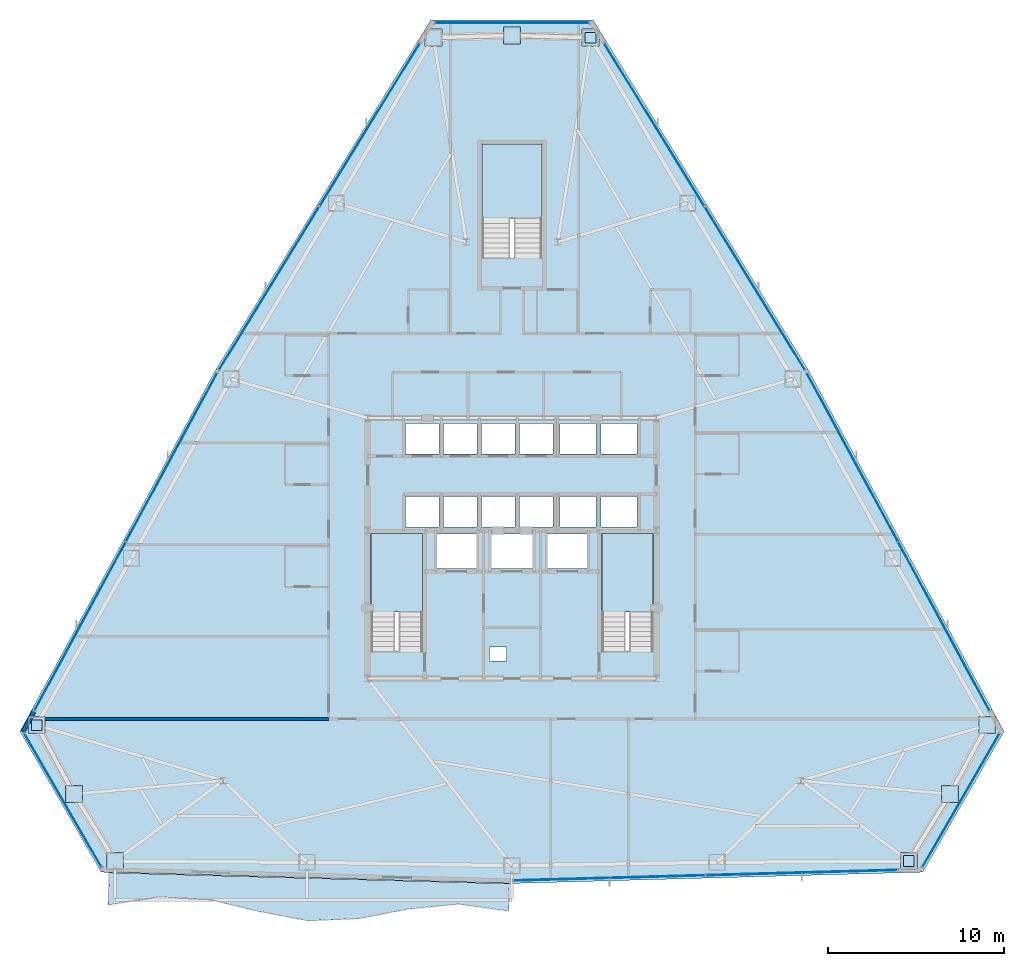
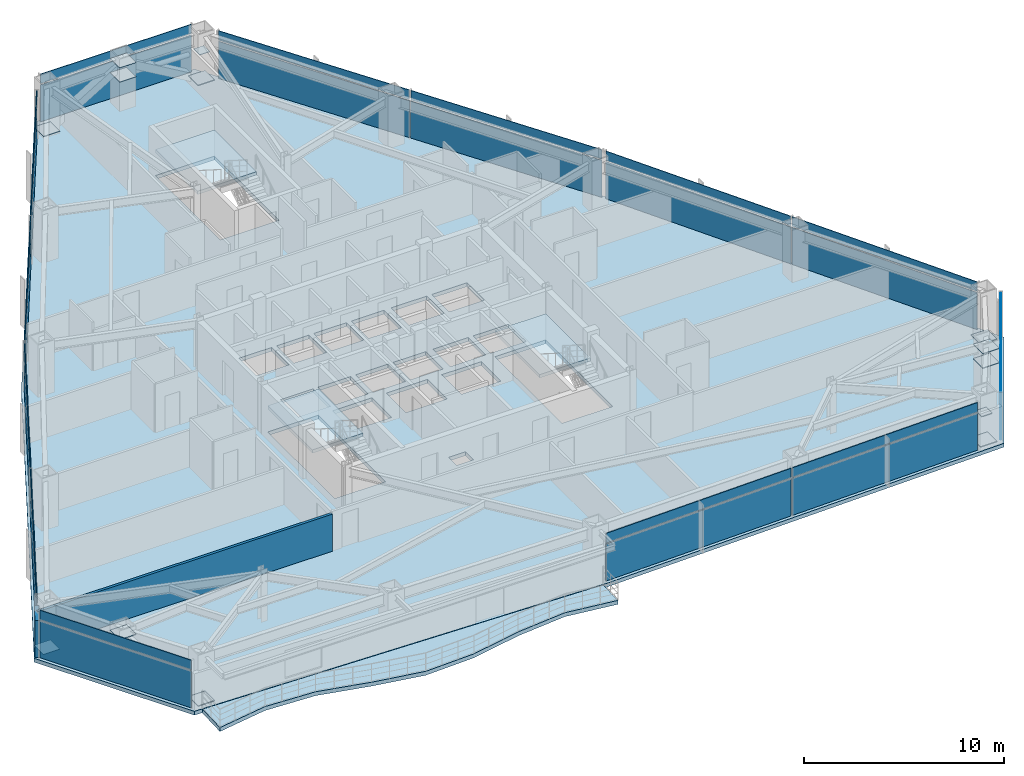
# One storey, part 8 of 14: 41 plates, 5 slabs, 2 walls, 11 elements without a shape of their own.
"""IFC4 building model written with IfcOpenShell, lengths in metres."""

from ifc_helpers import new_model, si_unit, direction, frame, frame_2d, origin, origin_2d, place, context, subcontext, project, spatial, polyline, rectangle, outline, extrude, source, transform, mapped, material, layer, layer_set, type_object, type_shapes, element, aggregate, save


model = new_model("IFC4")

# Units and contexts
model_context = context("Model", 3, precision=1e-05, world=origin(), true_north=direction((0.0, 1.0)))
body_context = subcontext(model_context, "Body", "Model", "MODEL_VIEW")
ifc_project = project(units=[si_unit("LENGTHUNIT", "METRE"), si_unit("AREAUNIT", "SQUARE_METRE"), si_unit("VOLUMEUNIT", "CUBIC_METRE"), si_unit("PLANEANGLEUNIT", "RADIAN"), si_unit("MASSUNIT", "GRAM", prefix="KILO")], contexts=[model_context])

# Site, building, storey
site_placement = place(None, origin())
site = spatial("IfcSite", under=ifc_project, at=site_placement, CompositionType="ELEMENT")
building_placement = place(site_placement, origin())
building = spatial("IfcBuilding", under=site, at=building_placement, Name="Varakhsha Concourse Tower", CompositionType="ELEMENT")
storey_placement = place(building_placement, frame((0.0, 0.0, 105.39990234375)))
storey = spatial("IfcBuildingStorey", under=building, at=storey_placement, Name="L30", CompositionType="ELEMENT", Elevation=105.39990234375)

# Slab
ifc_material_1 = material(Name="Concrete fc 45 MPa", Category="concrete")
ifc_layer_1 = layer(ifc_material_1, 0.22998046875, Name="SL-FLR-230")
ifc_layer_set_1 = layer_set([ifc_layer_1], Name="Concrete fc 45 MPa")
slab_type_1 = type_object("IfcSlabType", Name="SL-FLR-230", PredefinedType="FLOOR", material=ifc_layer_set_1)
slab_1_placement = place(storey_placement, frame((0.0, 0.0, -0.22998046875)))
element("IfcSlab", 1, at=slab_1_placement, inside=storey, type_object=slab_type_1, Name="L30 Composite Structural Slab", PredefinedType="FLOOR", context=body_context, shape_type="SweptSolid", body=[
    extrude(outline(polyline([(44.6142578125, 53.807861328125), (35.3857421875, 53.807861328125), (23.161865234375, 33.92138671875), (12.0517578125, 13.39208984375), (16.666015625, 5.39990234375), (40.0, 4.757080078125), (63.333984375, 5.39990234375), (67.9482421875, 13.39208984375), (56.838134765625, 33.92138671875), (44.6142578125, 53.807861328125)]), holes=[polyline([(34.919921875, 17.93994140625), (34.919921875, 24.6298828125), (32.0, 24.6298828125), (32.0, 17.93994140625), (34.919921875, 17.93994140625)]), polyline([(48.02001953125, 17.93994140625), (48.02001953125, 24.6298828125), (45.10009765625, 24.6298828125), (45.10009765625, 17.93994140625), (48.02001953125, 17.93994140625)]), polyline([(41.699951171875, 40.300048828125), (41.699951171875, 46.75), (38.300048828125, 46.75), (38.300048828125, 40.300048828125), (41.699951171875, 40.300048828125)]), polyline([(33.9599609375, 29.159912109375), (35.840087890625, 29.159912109375), (35.840087890625, 30.89990234375), (33.9599609375, 30.89990234375), (33.9599609375, 29.159912109375)]), polyline([(36.1201171875, 29.159912109375), (38.0, 29.159912109375), (38.0, 30.89990234375), (36.1201171875, 30.89990234375), (36.1201171875, 29.159912109375)]), polyline([(38.280029296875, 29.159912109375), (40.159912109375, 29.159912109375), (40.159912109375, 30.89990234375), (38.280029296875, 30.89990234375), (38.280029296875, 29.159912109375)]), polyline([(40.43994140625, 29.159912109375), (42.320068359375, 29.159912109375), (42.320068359375, 30.89990234375), (40.43994140625, 30.89990234375), (40.43994140625, 29.159912109375)]), polyline([(33.9599609375, 25.0), (35.840087890625, 25.0), (35.840087890625, 26.739990234375), (33.9599609375, 26.739990234375), (33.9599609375, 25.0)]), polyline([(36.1201171875, 25.0), (38.0, 25.0), (38.0, 26.739990234375), (36.1201171875, 26.739990234375), (36.1201171875, 25.0)]), polyline([(38.280029296875, 25.0), (40.159912109375, 25.0), (40.159912109375, 26.739990234375), (38.280029296875, 26.739990234375), (38.280029296875, 25.0)]), polyline([(40.43994140625, 25.0), (42.320068359375, 25.0), (42.320068359375, 26.739990234375), (40.43994140625, 26.739990234375), (40.43994140625, 25.0)]), polyline([(42.739990234375, 29.159912109375), (44.780029296875, 29.159912109375), (44.780029296875, 30.89990234375), (42.739990234375, 30.89990234375), (42.739990234375, 29.159912109375)]), polyline([(45.06005859375, 29.159912109375), (47.10009765625, 29.159912109375), (47.10009765625, 30.89990234375), (45.06005859375, 30.89990234375), (45.06005859375, 29.159912109375)]), polyline([(42.739990234375, 25.0), (44.780029296875, 25.0), (44.780029296875, 26.739990234375), (42.739990234375, 26.739990234375), (42.739990234375, 25.0)]), polyline([(45.06005859375, 25.0), (47.10009765625, 25.0), (47.10009765625, 26.739990234375), (45.06005859375, 26.739990234375), (45.06005859375, 25.0)]), polyline([(35.7099609375, 22.639892578125), (37.989990234375, 22.639892578125), (37.989990234375, 24.60009765625), (35.7099609375, 24.60009765625), (35.7099609375, 22.639892578125)]), polyline([(42.010009765625, 22.639892578125), (44.2900390625, 22.639892578125), (44.2900390625, 24.60009765625), (42.010009765625, 24.60009765625), (42.010009765625, 22.639892578125)]), polyline([(38.81005859375, 22.639892578125), (41.18994140625, 22.639892578125), (41.18994140625, 24.60009765625), (38.81005859375, 24.60009765625), (38.81005859375, 22.639892578125)]), polyline([(38.719970703125, 17.39990234375), (39.679931640625, 17.39990234375), (39.679931640625, 18.199951171875), (38.719970703125, 18.199951171875), (38.719970703125, 17.39990234375)])]), origin(), (0.0, 0.0, 1.0), 0.22998046875),
])

# Stair, slab
stair_type_1 = type_object("IfcStairType", Name="ST-DOGLEG-1360", PredefinedType="HALF_TURN_STAIR", material=ifc_material_1)
stair_1_placement = place(storey_placement, origin())
stair_1 = element("IfcStair", 2, at=stair_1_placement, inside=storey, type_object=stair_type_1, Name="L30 Protected Exit Stair ST1", PredefinedType="HALF_TURN_STAIR")
ifc_layer_2 = layer(ifc_material_1, 0.199951171875, Name="SL-LAND-200")
ifc_layer_set_2 = layer_set([ifc_layer_2], Name="Concrete fc 45 MPa")
slab_type_2 = type_object("IfcSlabType", Name="SL-LAND-200", PredefinedType="LANDING", material=ifc_layer_set_2)
slab_2_placement = place(storey_placement, frame((0.0, 0.0, 1.400146484375)))
slab_2 = element("IfcSlab", 3, at=slab_2_placement, type_object=slab_type_2, Name="ST1 landing 1", PredefinedType="LANDING", context=body_context, shape_type="SweptSolid", body=[
    extrude(outline(polyline([(34.919921875, 20.179931640625), (34.919921875, 24.6298828125), (32.0, 24.6298828125), (32.0, 20.179931640625), (34.919921875, 20.179931640625)])), origin(), (0.0, 0.0, 1.0), 0.199951171875),
])
aggregate(stair_1, [slab_2])

stair_2_placement = place(storey_placement, origin())
stair_2 = element("IfcStair", 4, at=stair_2_placement, inside=storey, type_object=stair_type_1, Name="L30 Protected Exit Stair ST2", PredefinedType="HALF_TURN_STAIR")
slab_3_placement = place(storey_placement, frame((0.0, 0.0, 1.400146484375)))
slab_3 = element("IfcSlab", 5, at=slab_3_placement, type_object=slab_type_2, Name="ST2 landing 1", PredefinedType="LANDING", context=body_context, shape_type="SweptSolid", body=[
    extrude(outline(polyline([(48.02001953125, 20.179931640625), (48.02001953125, 24.6298828125), (45.10009765625, 24.6298828125), (45.10009765625, 20.179931640625), (48.02001953125, 20.179931640625)])), origin(), (0.0, 0.0, 1.0), 0.199951171875),
])
aggregate(stair_2, [slab_3])

stair_type_2 = type_object("IfcStairType", Name="ST-DOGLEG-1600", PredefinedType="HALF_TURN_STAIR", material=ifc_material_1)
stair_3_placement = place(storey_placement, origin())
stair_3 = element("IfcStair", 6, at=stair_3_placement, inside=storey, type_object=stair_type_2, Name="L30 Protected Exit Stair ST5", PredefinedType="HALF_TURN_STAIR")
slab_4_placement = place(storey_placement, frame((0.0, 0.0, 1.400146484375)))
slab_4 = element("IfcSlab", 7, at=slab_4_placement, type_object=slab_type_2, Name="ST5 landing 1", PredefinedType="LANDING", context=body_context, shape_type="SweptSolid", body=[
    extrude(outline(polyline([(41.699951171875, 42.5400390625), (41.699951171875, 46.75), (38.300048828125, 46.75), (38.300048828125, 42.5400390625), (41.699951171875, 42.5400390625)])), origin(), (0.0, 0.0, 1.0), 0.199951171875),
])
aggregate(stair_3, [slab_4])

# Slab
ifc_layer_3 = layer(ifc_material_1, 0.239990234375, Name="SL-TERR-240")
ifc_layer_set_3 = layer_set([ifc_layer_3], Name="Concrete fc 45 MPa")
slab_type_3 = type_object("IfcSlabType", Name="SL-TERR-240", PredefinedType="FLOOR", material=ifc_layer_set_3)
slab_5_placement = place(storey_placement, frame((0.0, 0.0, -0.239990234375)))
element("IfcSlab", 8, at=slab_5_placement, inside=storey, type_object=slab_type_3, Name="L30 Hotel Wave Sky-Loggia Balcony", PredefinedType="FLOOR", context=body_context, shape_type="SweptSolid", body=[
    extrude(outline(polyline([(17.115478515625, 5.37255859375), (39.849609375, 4.74609375), (39.806884765625, 3.196044921875), (36.973876953125, 3.589599609375), (34.122314453125, 3.310302734375), (31.26318359375, 2.759765625), (28.416015625, 2.6435546875), (25.5869140625, 3.1796875), (22.761474609375, 3.854736328125), (19.92138671875, 3.998779296875), (17.06494140625, 3.538330078125), (17.115478515625, 5.37255859375)])), origin(), (0.0, 0.0, 1.0), 0.239990234375),
])

# Plates
ifc_material_2 = material(Name="Structural Steel ASTM A572 Grade 50", Category="steel")
ifc_layer_4 = layer(ifc_material_2, 0.030029296875, Name="PL-ENDCAP-950")
ifc_layer_set_4 = layer_set([ifc_layer_4], Name="Structural Steel ASTM A572 Grade 50")
plate_type_1 = type_object("IfcPlateType", Name="PL-ENDCAP-950", PredefinedType="USERDEFINED", material=ifc_layer_set_4)
shared_shape_1 = source(origin(), body_context, "Body", "SweptSolid", [
    extrude(rectangle(XDim=0.949951171875, YDim=0.949951171875, at=origin_2d()), origin(), (0.0, 0.0, 1.0), 0.030029296875),
])
type_shapes(plate_type_1, [shared_shape_1])
for number, where, z_axis, x_axis, name in (
    (9, (44.45849609375, 52.807861328125, 0.10498046875), (0.0, 0.0, 1.0), (1.0, 0.0, 0.0), "Hollow Section End Cap GP-NODE-L30-0283"),
    (10, (40.0, 52.927734375, 2.6552734375), (0.0, 0.0, 1.0), (1.0, 0.0, 0.0), "Hollow Section End Cap GP-NODE-L30-0284"),
    (11, (35.54150390625, 52.807861328125, 0.10498046875), (0.0, 0.0, 1.0), (1.0, 0.0, 0.0), "Hollow Section End Cap GP-NODE-L30-0285"),
    (12, (12.99560546875, 13.757080078125, 0.10498046875), (0.0, 0.0, 1.0), (1.0, 0.0, 0.0), "Hollow Section End Cap GP-NODE-L30-0286"),
    (13, (15.12109375, 9.836181640625, 2.6552734375), (0.0, 0.0, 1.0), (1.0, 0.0, 0.0), "Hollow Section End Cap GP-NODE-L30-0287"),
    (14, (17.4541015625, 6.034912109375, 0.10498046875), (0.0, 0.0, 1.0), (1.0, 0.0, 0.0), "Hollow Section End Cap GP-NODE-L30-0288"),
    (15, (62.5458984375, 6.034912109375, 0.10498046875), (0.0, 0.0, 1.0), (1.0, 0.0, 0.0), "Hollow Section End Cap GP-NODE-L30-0289"),
    (16, (64.87890625, 9.836181640625, 2.6552734375), (0.0, 0.0, 1.0), (1.0, 0.0, 0.0), "Hollow Section End Cap GP-NODE-L30-0290"),
    (17, (67.00439453125, 13.757080078125, 0.10498046875), (0.0, 0.0, 1.0), (1.0, 0.0, 0.0), "Hollow Section End Cap GP-NODE-L30-0291"),
    (18, (40.0, 52.927734375, 1.78515625), (0.0, 0.0, 1.0), (1.0, 0.0, 0.0), "Hollow Section End Cap GP-NODE-L30-0292"),
    (19, (15.12109375, 9.836181640625, 1.78515625), (0.0, 0.0, 1.0), (1.0, 0.0, 0.0), "Hollow Section End Cap GP-NODE-L30-0293"),
    (20, (64.87890625, 9.836181640625, 1.78515625), (0.0, 0.0, 1.0), (1.0, 0.0, 0.0), "Hollow Section End Cap GP-NODE-L30-0294"),
):
    element("IfcPlate", number, at=place(storey_placement, frame(where, z_axis=z_axis, x_axis=x_axis)), inside=storey, type_object=plate_type_1, Name=name, ObjectType="END PLATE", PredefinedType="USERDEFINED", context=body_context, shape_type="MappedRepresentation", body=[
        mapped(shared_shape_1, transform((0.0, 0.0, 0.0), scale=1.0)),
    ])
ifc_layer_5 = layer(ifc_material_2, 0.030029296875, Name="PL-BASE-600")
ifc_layer_set_5 = layer_set([ifc_layer_5], Name="Structural Steel ASTM A572 Grade 50")
plate_type_2 = type_object("IfcPlateType", Name="PL-BASE-600", PredefinedType="SHEET", material=ifc_layer_set_5)
shared_shape_2 = source(origin(), body_context, "Body", "SweptSolid", [
    extrude(rectangle(XDim=0.60009765625, YDim=0.60009765625, at=origin_2d()), origin(), (0.0, 0.0, 1.0), 0.030029296875),
])
type_shapes(plate_type_2, [shared_shape_2])
for number, where, z_axis, x_axis, name in (
    (21, (44.45849609375, 52.807861328125, 1.78515625), (0.0, 0.0, 1.0), (1.0, 0.0, 0.0), "Hollow Section End Cap BP-WTIE-L30-1"),
    (22, (12.99560546875, 13.757080078125, 1.78515625), (0.0, 0.0, 1.0), (1.0, 0.0, 0.0), "Hollow Section End Cap BP-WTIE-L30-2"),
    (23, (62.5458984375, 6.034912109375, 1.78515625), (0.0, 0.0, 1.0), (1.0, 0.0, 0.0), "Hollow Section End Cap BP-WTIE-L30-3"),
):
    element("IfcPlate", number, at=place(storey_placement, frame(where, z_axis=z_axis, x_axis=x_axis)), inside=storey, type_object=plate_type_2, Name=name, PredefinedType="SHEET", context=body_context, shape_type="MappedRepresentation", body=[
        mapped(shared_shape_2, transform((0.0, 0.0, 0.0), scale=1.0)),
    ])

# Curtain wall, plate
ifc_material_3 = material(Name="Anodised Bronze Architectural Aluminium AA 6063-T6", Category="aluminium")
ifc_layer_6 = layer(ifc_material_3, 0.199951171875, Name="CW-SYS-03")
ifc_layer_set_6 = layer_set([ifc_layer_6], Name="Anodised Bronze Architectural Aluminium AA 6063-T6")
curtain_wall_type = type_object("IfcCurtainWallType", Name="CW-SYS-03", PredefinedType="NOTDEFINED", material=ifc_layer_set_6)
curtain_wall_1_placement = place(storey_placement, origin())
curtain_wall_1 = element("IfcCurtainWall", 24, at=curtain_wall_1_placement, inside=storey, type_object=curtain_wall_type, Name="L30 Chamfer Curtain Wall F1", PredefinedType="NOTDEFINED")
ifc_material_4 = material(Name="Insulated Anodised Bronze Aluminium Spandrel 36 mm", Category="aluminium")
ifc_layer_7 = layer(ifc_material_4, 0.035888671875, Name="CWP-SPN-36")
ifc_layer_set_7 = layer_set([ifc_layer_7], Name="Insulated Anodised Bronze Aluminium Spandrel 36 mm")
plate_type_3 = type_object("IfcPlateType", Name="CWP-SPN-36", PredefinedType="USERDEFINED", material=ifc_layer_set_7)
shared_shape_3 = source(origin(), body_context, "Body", "SweptSolid", [
    extrude(rectangle(XDim=8.709716796875, YDim=0.035888671875, at=origin_2d()), origin(), (0.0, 0.0, 1.0), 2.2509765625),
])
type_shapes(plate_type_3, [shared_shape_3])
plate_1_placement = place(storey_placement, frame((40.0, 53.647705078125, 0.03466796875), z_axis=(0.0, 0.0, 1.0), x_axis=(1.0, 0.0, 0.0)))
plate_1 = element("IfcPlate", 25, at=plate_1_placement, type_object=plate_type_3, Name="CW-L30-F1 Panel 00-00", ObjectType="SPANDREL", PredefinedType="USERDEFINED", context=body_context, shape_type="MappedRepresentation", body=[
    mapped(shared_shape_3, transform((0.0, 0.0, 0.0), scale=1.0)),
])

curtain_wall_2_placement = place(storey_placement, origin())
curtain_wall_2 = element("IfcCurtainWall", 26, at=curtain_wall_2_placement, inside=storey, type_object=curtain_wall_type, Name="L30 Chamfer Curtain Wall F4", PredefinedType="NOTDEFINED")
plate_2_placement = place(storey_placement, frame((14.49755859375, 9.47607421875, 0.03466796875), z_axis=(0.0, 0.0, 1.0), x_axis=(-0.499996976998, 0.866027149108, 0.0)))
plate_2 = element("IfcPlate", 27, at=plate_2_placement, type_object=plate_type_3, Name="CW-L30-F4 Panel 00-00", ObjectType="SPANDREL", PredefinedType="USERDEFINED", context=body_context, shape_type="MappedRepresentation", body=[
    mapped(shared_shape_3, transform((0.0, 0.0, 0.0), scale=1.0)),
])

curtain_wall_3_placement = place(storey_placement, origin())
curtain_wall_3 = element("IfcCurtainWall", 28, at=curtain_wall_3_placement, inside=storey, type_object=curtain_wall_type, Name="L30 Chamfer Curtain Wall F7", PredefinedType="NOTDEFINED")
plate_3_placement = place(storey_placement, frame((65.50244140625, 9.47607421875, 0.03466796875), z_axis=(0.0, 0.0, 1.0), x_axis=(-0.499996976998, -0.866027149108, 0.0)))
plate_3 = element("IfcPlate", 29, at=plate_3_placement, type_object=plate_type_3, Name="CW-L30-F7 Panel 00-00", ObjectType="SPANDREL", PredefinedType="USERDEFINED", context=body_context, shape_type="MappedRepresentation", body=[
    mapped(shared_shape_3, transform((0.0, 0.0, 0.0), scale=1.0)),
])

# Plate
ifc_material_5 = material(Name="Glazed Turquoise-Bronze Ceramic Spandrel Panel 38 mm", Category="ceramic")
ifc_layer_8 = layer(ifc_material_5, 0.0380859375, Name="CWP-SPN-38")
ifc_layer_set_8 = layer_set([ifc_layer_8], Name="Glazed Turquoise-Bronze Ceramic Spandrel Panel 38 mm")
plate_type_4 = type_object("IfcPlateType", Name="CWP-SPN-38", PredefinedType="USERDEFINED", material=ifc_layer_set_8)
shared_shape_4 = source(origin(), body_context, "Body", "SweptSolid", [
    extrude(rectangle(XDim=8.709716796875, YDim=0.0380859375, at=origin_2d()), origin(), (0.0, 0.0, 1.0), 0.5810546875),
])
plate_4_placement = place(storey_placement, frame((40.0, 53.647705078125, 2.3544921875), z_axis=(0.0, 0.0, 1.0), x_axis=(1.0, 0.0, 0.0)))
plate_4 = element("IfcPlate", 30, at=plate_4_placement, type_object=plate_type_4, Name="CW-L30-F1 Panel 00-01", ObjectType="SPANDREL", PredefinedType="USERDEFINED", context=body_context, shape_type="MappedRepresentation", body=[
    mapped(shared_shape_4, transform((0.0, 0.0, 0.0), scale=1.0)),
])

aggregate(curtain_wall_1, [plate_1, plate_4])

plate_5_placement = place(storey_placement, frame((14.49755859375, 9.47607421875, 2.3544921875), z_axis=(0.0, 0.0, 1.0), x_axis=(-0.499996976998, 0.866027149108, 0.0)))
plate_5 = element("IfcPlate", 31, at=plate_5_placement, type_object=plate_type_4, Name="CW-L30-F4 Panel 00-01", ObjectType="SPANDREL", PredefinedType="USERDEFINED", context=body_context, shape_type="MappedRepresentation", body=[
    mapped(shared_shape_4, transform((0.0, 0.0, 0.0), scale=1.0)),
])

aggregate(curtain_wall_2, [plate_2, plate_5])

plate_6_placement = place(storey_placement, frame((65.50244140625, 9.47607421875, 2.3544921875), z_axis=(0.0, 0.0, 1.0), x_axis=(-0.499996976998, -0.866027149108, 0.0)))
plate_6 = element("IfcPlate", 32, at=plate_6_placement, type_object=plate_type_4, Name="CW-L30-F7 Panel 00-01", ObjectType="SPANDREL", PredefinedType="USERDEFINED", context=body_context, shape_type="MappedRepresentation", body=[
    mapped(shared_shape_4, transform((0.0, 0.0, 0.0), scale=1.0)),
])

aggregate(curtain_wall_3, [plate_3, plate_6])

# Curtain wall, plates
curtain_wall_4_placement = place(storey_placement, origin())
curtain_wall_4 = element("IfcCurtainWall", 33, at=curtain_wall_4_placement, inside=storey, type_object=curtain_wall_type, Name="L30 Crystal Curtain Wall F2", PredefinedType="NOTDEFINED")
ifc_material_6 = material(Name="Low-E Triple Insulating Glass IGU 44 mm", Category="glass")
ifc_layer_9 = layer(ifc_material_6, 0.0439453125, Name="CWP-IGU-44")
ifc_layer_set_9 = layer_set([ifc_layer_9], Name="Low-E Triple Insulating Glass IGU 44 mm")
plate_type_5 = type_object("IfcPlateType", Name="CWP-IGU-44", PredefinedType="CURTAIN_PANEL", material=ifc_layer_set_9)
shared_shape_5 = source(origin(), body_context, "Body", "SweptSolid", [
    extrude(rectangle(XDim=10.84228515625, YDim=0.0439453125, at=origin_2d()), origin(), (0.0, 0.0, 1.0), 2.2509765625),
])
plate_7_placement = place(storey_placement, frame((26.19970703125, 38.55810546875, 0.03466796875), z_axis=(0.0, 0.0, 1.0), x_axis=(0.523664775253, 0.851924411646, 0.0)))
plate_7 = element("IfcPlate", 34, at=plate_7_placement, type_object=plate_type_5, Name="CW-L30-F2 Panel 00-00", PredefinedType="CURTAIN_PANEL", context=body_context, shape_type="MappedRepresentation", body=[
    mapped(shared_shape_5, transform((0.0, 0.0, 0.0), scale=1.0)),
])
plate_8_placement = place(storey_placement, frame((31.918701171875, 47.8623046875, 0.03466796875), z_axis=(0.0, 0.0, 1.0), x_axis=(0.523664775253, 0.851924411646, 0.0)))
plate_8 = element("IfcPlate", 35, at=plate_8_placement, type_object=plate_type_5, Name="CW-L30-F2 Panel 01-00", PredefinedType="CURTAIN_PANEL", context=body_context, shape_type="MappedRepresentation", body=[
    mapped(shared_shape_5, transform((0.0, 0.0, 0.0), scale=1.0)),
])

# Curtain wall, plate
curtain_wall_5_placement = place(storey_placement, origin())
curtain_wall_5 = element("IfcCurtainWall", 36, at=curtain_wall_5_placement, inside=storey, type_object=curtain_wall_type, Name="L30 Crystal Curtain Wall F3", PredefinedType="NOTDEFINED")
plate_9_placement = place(storey_placement, frame((20.665283203125, 28.972412109375, 0.03466796875), z_axis=(0.0, 0.0, 1.0), x_axis=(0.475958864887, 0.879467542855, 0.0)))
plate_9 = element("IfcPlate", 37, at=plate_9_placement, type_object=plate_type_5, Name="CW-L30-F3 Panel 01-00", PredefinedType="CURTAIN_PANEL", context=body_context, shape_type="MappedRepresentation", body=[
    mapped(shared_shape_5, transform((0.0, 0.0, 0.0), scale=1.0)),
])

curtain_wall_6_placement = place(storey_placement, origin())
curtain_wall_6 = element("IfcCurtainWall", 38, at=curtain_wall_6_placement, inside=storey, type_object=curtain_wall_type, Name="L30 Crystal Curtain Wall F6", PredefinedType="NOTDEFINED")
plate_10_placement = place(storey_placement, frame((45.5341796875, 5.069580078125, 0.03466796875), z_axis=(0.0, 0.0, 1.0), x_axis=(-0.99962052214, -0.02754653728, 0.0)))
plate_10 = element("IfcPlate", 39, at=plate_10_placement, type_object=plate_type_5, Name="CW-L30-F6 Panel 01-00", PredefinedType="CURTAIN_PANEL", context=body_context, shape_type="MappedRepresentation", body=[
    mapped(shared_shape_5, transform((0.0, 0.0, 0.0), scale=1.0)),
])

curtain_wall_7_placement = place(storey_placement, origin())
curtain_wall_7 = element("IfcCurtainWall", 40, at=curtain_wall_7_placement, inside=storey, type_object=curtain_wall_type, Name="L30 Crystal Curtain Wall F8", PredefinedType="NOTDEFINED")
plate_11_placement = place(storey_placement, frame((64.53271484375, 19.367431640625, 0.03466796875), z_axis=(0.0, 0.0, 1.0), x_axis=(0.475958864887, -0.879467542855, 0.0)))
plate_11 = element("IfcPlate", 41, at=plate_11_placement, type_object=plate_type_5, Name="CW-L30-F8 Panel 01-00", PredefinedType="CURTAIN_PANEL", context=body_context, shape_type="MappedRepresentation", body=[
    mapped(shared_shape_5, transform((0.0, 0.0, 0.0), scale=1.0)),
])

# Curtain wall, plates
curtain_wall_8_placement = place(storey_placement, origin())
curtain_wall_8 = element("IfcCurtainWall", 42, at=curtain_wall_8_placement, inside=storey, type_object=curtain_wall_type, Name="L30 Crystal Curtain Wall F9", PredefinedType="NOTDEFINED")
plate_12_placement = place(storey_placement, frame((48.081298828125, 47.8623046875, 0.03466796875), z_axis=(0.0, 0.0, 1.0), x_axis=(0.523664775253, -0.851924411646, 0.0)))
plate_12 = element("IfcPlate", 43, at=plate_12_placement, type_object=plate_type_5, Name="CW-L30-F9 Panel 00-00", PredefinedType="CURTAIN_PANEL", context=body_context, shape_type="MappedRepresentation", body=[
    mapped(shared_shape_5, transform((0.0, 0.0, 0.0), scale=1.0)),
])
plate_13_placement = place(storey_placement, frame((53.80029296875, 38.55810546875, 0.03466796875), z_axis=(0.0, 0.0, 1.0), x_axis=(0.523664775253, -0.851924411646, 0.0)))
plate_13 = element("IfcPlate", 44, at=plate_13_placement, type_object=plate_type_5, Name="CW-L30-F9 Panel 01-00", PredefinedType="CURTAIN_PANEL", context=body_context, shape_type="MappedRepresentation", body=[
    mapped(shared_shape_5, transform((0.0, 0.0, 0.0), scale=1.0)),
])

# Plate
shared_shape_6 = source(origin(), body_context, "Body", "SweptSolid", [
    extrude(rectangle(XDim=10.84228515625, YDim=0.0380859375, at=origin_2d()), origin(), (0.0, 0.0, 1.0), 0.5810546875),
])
plate_14_placement = place(storey_placement, frame((26.19970703125, 38.55810546875, 2.3544921875), z_axis=(0.0, 0.0, 1.0), x_axis=(0.523664775253, 0.851924411646, 0.0)))
plate_14 = element("IfcPlate", 45, at=plate_14_placement, type_object=plate_type_4, Name="CW-L30-F2 Panel 00-01", ObjectType="SPANDREL", PredefinedType="USERDEFINED", context=body_context, shape_type="MappedRepresentation", body=[
    mapped(shared_shape_6, transform((0.0, 0.0, 0.0), scale=1.0)),
])

plate_15_placement = place(storey_placement, frame((31.918701171875, 47.8623046875, 2.3544921875), z_axis=(0.0, 0.0, 1.0), x_axis=(0.523664775253, 0.851924411646, 0.0)))
plate_15 = element("IfcPlate", 46, at=plate_15_placement, type_object=plate_type_4, Name="CW-L30-F2 Panel 01-01", ObjectType="SPANDREL", PredefinedType="USERDEFINED", context=body_context, shape_type="MappedRepresentation", body=[
    mapped(shared_shape_6, transform((0.0, 0.0, 0.0), scale=1.0)),
])

aggregate(curtain_wall_4, [plate_7, plate_14, plate_8, plate_15])

plate_16_placement = place(storey_placement, frame((20.665283203125, 28.972412109375, 2.3544921875), z_axis=(0.0, 0.0, 1.0), x_axis=(0.475958864887, 0.879467542855, 0.0)))
plate_16 = element("IfcPlate", 47, at=plate_16_placement, type_object=plate_type_4, Name="CW-L30-F3 Panel 01-01", ObjectType="SPANDREL", PredefinedType="USERDEFINED", context=body_context, shape_type="MappedRepresentation", body=[
    mapped(shared_shape_6, transform((0.0, 0.0, 0.0), scale=1.0)),
])

plate_17_placement = place(storey_placement, frame((45.5341796875, 5.069580078125, 2.3544921875), z_axis=(0.0, 0.0, 1.0), x_axis=(-0.99962052214, -0.02754653728, 0.0)))
plate_17 = element("IfcPlate", 48, at=plate_17_placement, type_object=plate_type_4, Name="CW-L30-F6 Panel 01-01", ObjectType="SPANDREL", PredefinedType="USERDEFINED", context=body_context, shape_type="MappedRepresentation", body=[
    mapped(shared_shape_6, transform((0.0, 0.0, 0.0), scale=1.0)),
])

plate_18_placement = place(storey_placement, frame((64.53271484375, 19.367431640625, 2.3544921875), z_axis=(0.0, 0.0, 1.0), x_axis=(0.475958864887, -0.879467542855, 0.0)))
plate_18 = element("IfcPlate", 49, at=plate_18_placement, type_object=plate_type_4, Name="CW-L30-F8 Panel 01-01", ObjectType="SPANDREL", PredefinedType="USERDEFINED", context=body_context, shape_type="MappedRepresentation", body=[
    mapped(shared_shape_6, transform((0.0, 0.0, 0.0), scale=1.0)),
])

plate_19_placement = place(storey_placement, frame((48.081298828125, 47.8623046875, 2.3544921875), z_axis=(0.0, 0.0, 1.0), x_axis=(0.523664775253, -0.851924411646, 0.0)))
plate_19 = element("IfcPlate", 50, at=plate_19_placement, type_object=plate_type_4, Name="CW-L30-F9 Panel 00-01", ObjectType="SPANDREL", PredefinedType="USERDEFINED", context=body_context, shape_type="MappedRepresentation", body=[
    mapped(shared_shape_6, transform((0.0, 0.0, 0.0), scale=1.0)),
])

plate_20_placement = place(storey_placement, frame((53.80029296875, 38.55810546875, 2.3544921875), z_axis=(0.0, 0.0, 1.0), x_axis=(0.523664775253, -0.851924411646, 0.0)))
plate_20 = element("IfcPlate", 51, at=plate_20_placement, type_object=plate_type_4, Name="CW-L30-F9 Panel 01-01", ObjectType="SPANDREL", PredefinedType="USERDEFINED", context=body_context, shape_type="MappedRepresentation", body=[
    mapped(shared_shape_6, transform((0.0, 0.0, 0.0), scale=1.0)),
])

aggregate(curtain_wall_8, [plate_12, plate_19, plate_13, plate_20])

shared_shape_7 = source(origin(), body_context, "Body", "SweptSolid", [
    extrude(rectangle(XDim=10.842529296875, YDim=0.0439453125, at=origin_2d()), origin(), (0.0, 0.0, 1.0), 2.2509765625),
])
type_shapes(plate_type_5, [shared_shape_5, shared_shape_7])
plate_21_placement = place(storey_placement, frame((15.46728515625, 19.367431640625, 0.03466796875), z_axis=(0.0, 0.0, 1.0), x_axis=(0.475958864887, 0.879467542855, 0.0)))
plate_21 = element("IfcPlate", 52, at=plate_21_placement, type_object=plate_type_5, Name="CW-L30-F3 Panel 00-00", PredefinedType="CURTAIN_PANEL", context=body_context, shape_type="MappedRepresentation", body=[
    mapped(shared_shape_7, transform((0.0, 0.0, 0.0), scale=1.0)),
])

plate_22_placement = place(storey_placement, frame((56.451416015625, 5.370361328125, 0.03466796875), z_axis=(0.0, 0.0, 1.0), x_axis=(-0.99962052214, -0.02754653728, 0.0)))
plate_22 = element("IfcPlate", 53, at=plate_22_placement, type_object=plate_type_5, Name="CW-L30-F6 Panel 00-00", PredefinedType="CURTAIN_PANEL", context=body_context, shape_type="MappedRepresentation", body=[
    mapped(shared_shape_7, transform((0.0, 0.0, 0.0), scale=1.0)),
])

plate_23_placement = place(storey_placement, frame((59.334716796875, 28.972412109375, 0.03466796875), z_axis=(0.0, 0.0, 1.0), x_axis=(0.475958864887, -0.879467542855, 0.0)))
plate_23 = element("IfcPlate", 54, at=plate_23_placement, type_object=plate_type_5, Name="CW-L30-F8 Panel 00-00", PredefinedType="CURTAIN_PANEL", context=body_context, shape_type="MappedRepresentation", body=[
    mapped(shared_shape_7, transform((0.0, 0.0, 0.0), scale=1.0)),
])

shared_shape_8 = source(origin(), body_context, "Body", "SweptSolid", [
    extrude(rectangle(XDim=10.842529296875, YDim=0.0380859375, at=origin_2d()), origin(), (0.0, 0.0, 1.0), 0.5810546875),
])
type_shapes(plate_type_4, [shared_shape_4, shared_shape_6, shared_shape_8])
plate_24_placement = place(storey_placement, frame((15.46728515625, 19.367431640625, 2.3544921875), z_axis=(0.0, 0.0, 1.0), x_axis=(0.475958864887, 0.879467542855, 0.0)))
plate_24 = element("IfcPlate", 55, at=plate_24_placement, type_object=plate_type_4, Name="CW-L30-F3 Panel 00-01", ObjectType="SPANDREL", PredefinedType="USERDEFINED", context=body_context, shape_type="MappedRepresentation", body=[
    mapped(shared_shape_8, transform((0.0, 0.0, 0.0), scale=1.0)),
])

aggregate(curtain_wall_5, [plate_21, plate_24, plate_9, plate_16])

plate_25_placement = place(storey_placement, frame((56.451416015625, 5.370361328125, 2.3544921875), z_axis=(0.0, 0.0, 1.0), x_axis=(-0.99962052214, -0.02754653728, 0.0)))
plate_25 = element("IfcPlate", 56, at=plate_25_placement, type_object=plate_type_4, Name="CW-L30-F6 Panel 00-01", ObjectType="SPANDREL", PredefinedType="USERDEFINED", context=body_context, shape_type="MappedRepresentation", body=[
    mapped(shared_shape_8, transform((0.0, 0.0, 0.0), scale=1.0)),
])

aggregate(curtain_wall_6, [plate_22, plate_25, plate_10, plate_17])

plate_26_placement = place(storey_placement, frame((59.334716796875, 28.972412109375, 2.3544921875), z_axis=(0.0, 0.0, 1.0), x_axis=(0.475958864887, -0.879467542855, 0.0)))
plate_26 = element("IfcPlate", 57, at=plate_26_placement, type_object=plate_type_4, Name="CW-L30-F8 Panel 00-01", ObjectType="SPANDREL", PredefinedType="USERDEFINED", context=body_context, shape_type="MappedRepresentation", body=[
    mapped(shared_shape_8, transform((0.0, 0.0, 0.0), scale=1.0)),
])

aggregate(curtain_wall_7, [plate_23, plate_26, plate_11, plate_18])

# Walls
ifc_layer_10 = layer(ifc_material_1, 0.239990234375, Name="WL-EXT-CRN-240")
ifc_layer_set_10 = layer_set([ifc_layer_10], Name="Concrete fc 45 MPa")
wall_type_1 = type_object("IfcWallType", Name="WL-EXT-CRN-240", PredefinedType="SHEAR", material=ifc_layer_set_10)
wall_1_placement = place(storey_placement, frame((12.850341796875, 14.531982421875, 0.0), z_axis=(0.0, 0.0, 1.0), x_axis=(-0.475820948293, -0.879542167929, 0.0)))
element("IfcWall", 58, at=wall_1_placement, inside=storey, type_object=wall_type_1, Name="L30 Wind-Corner Shoulder Wall F3", PredefinedType="SHEAR", context=body_context, shape_type="SweptSolid", body=[
    extrude(rectangle(XDim=1.310546875, YDim=0.239990234375, at=frame_2d((0.6552734375, 0.0))), origin(), (0.0, 0.0, 1.0), 2.253173828125),
])
ifc_material_7 = material(Name="Fire-Rated Type X Gypsum Partition Assembly", Category="gypsum")
ifc_layer_11 = layer(ifc_material_7, 0.14990234375, Name="WL-PART-150")
ifc_layer_set_11 = layer_set([ifc_layer_11], Name="Fire-Rated Type X Gypsum Partition Assembly")
wall_type_2 = type_object("IfcWallType", Name="WL-PART-150", PredefinedType="PARTITIONING", material=ifc_layer_set_11)
wall_2_placement = place(storey_placement, frame((12.622314453125, 14.10009765625, 0.0), z_axis=(0.0, 0.0, 1.0), x_axis=(1.0, 0.0, 0.0)))
element("IfcWall", 59, at=wall_2_placement, inside=storey, type_object=wall_type_2, Name="L30 Wall HDIV-WB0-L30", PredefinedType="PARTITIONING", context=body_context, shape_type="SweptSolid", body=[
    extrude(rectangle(XDim=16.977783203125, YDim=0.14990234375, at=frame_2d((8.48876953125, 0.0))), origin(), (0.0, 0.0, 1.0), 2.258056640625),
])

save(model, "model.ifc")
